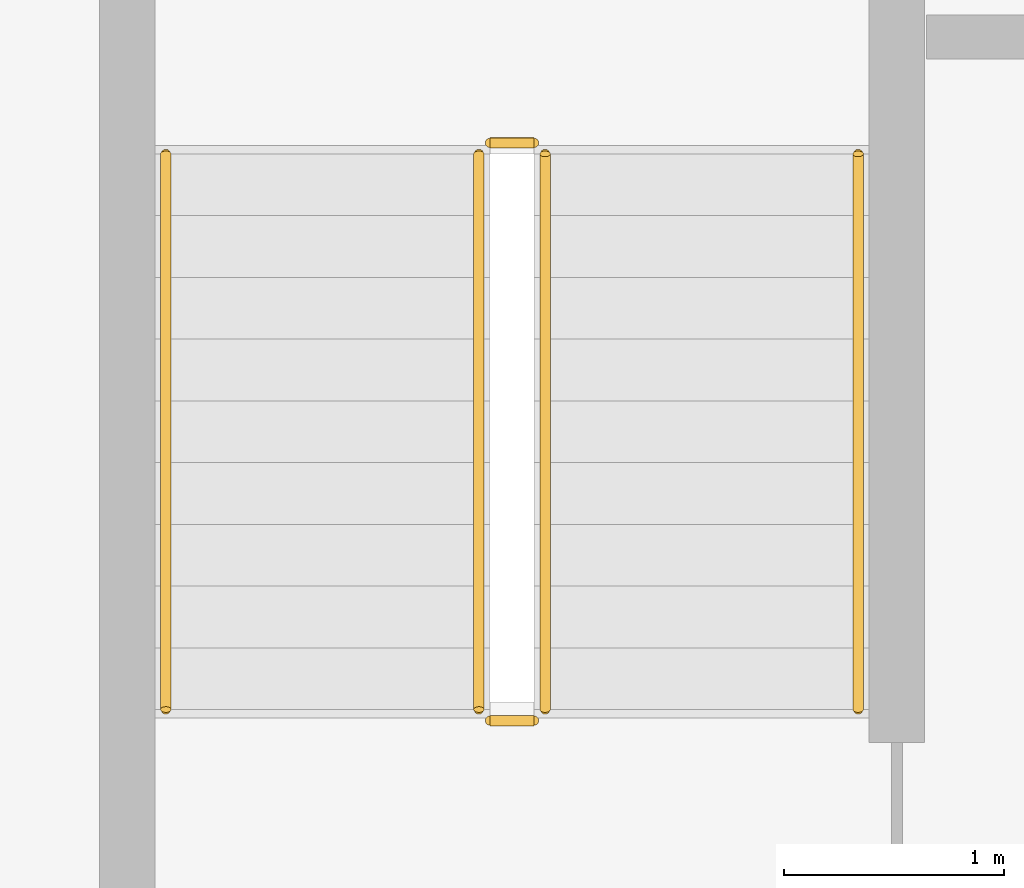
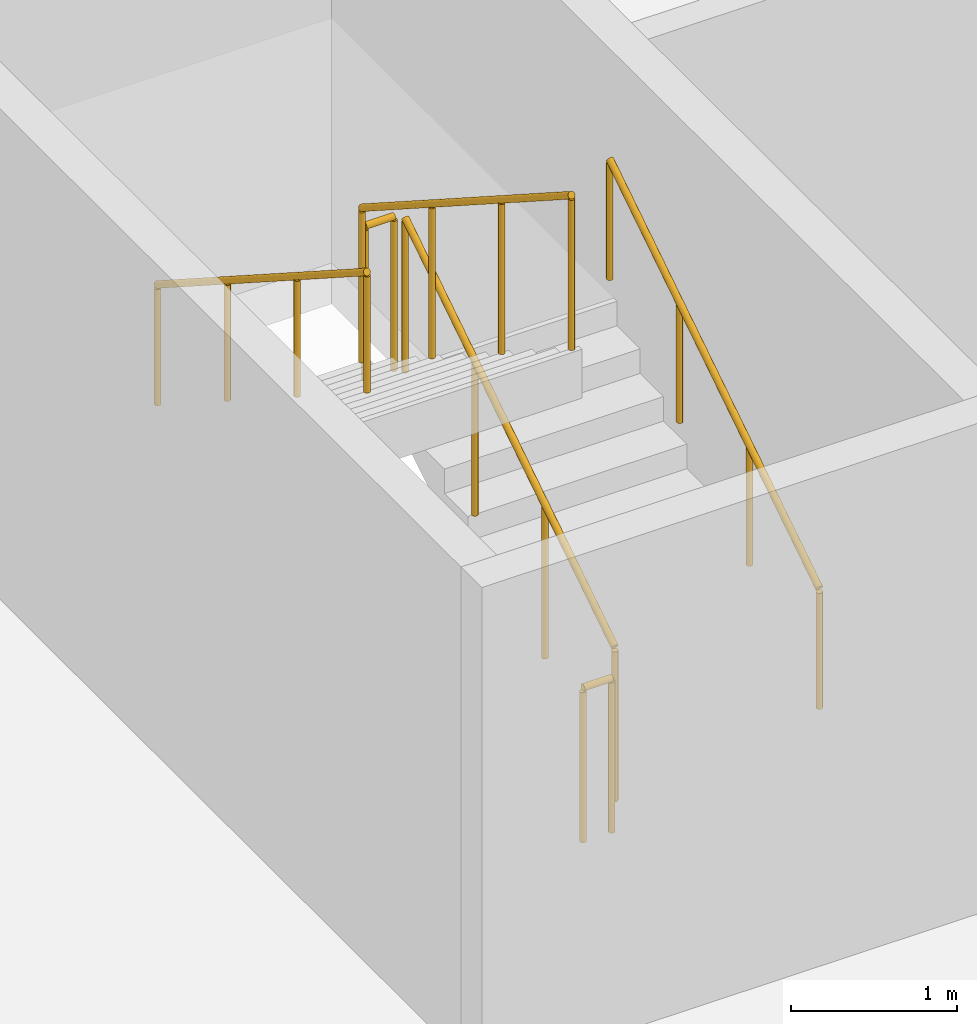
# One storey, part 15 of 23: 6 railings.
"""IFC4 building model written with IfcOpenShell, lengths in metres."""

from ifc_helpers import new_model, si_unit, direction, frame, origin, origin_2d, place, context, subcontext, project, spatial, circle, extrude, material, type_object, element, save


model = new_model("IFC4")

# Units and contexts
model_context = context("Model", 3, precision=1e-05, world=origin(), true_north=direction((0.0, 1.0)))
body_context = subcontext(model_context, "Body", "Model", "MODEL_VIEW")
ifc_project = project(units=[si_unit("LENGTHUNIT", "METRE"), si_unit("AREAUNIT", "SQUARE_METRE"), si_unit("VOLUMEUNIT", "CUBIC_METRE"), si_unit("PLANEANGLEUNIT", "RADIAN"), si_unit("MASSUNIT", "GRAM", prefix="KILO")], contexts=[model_context])

# Site, building, storey
site_placement = place(None, origin())
site = spatial("IfcSite", under=ifc_project, at=site_placement, CompositionType="ELEMENT")
building_placement = place(site_placement, origin())
building = spatial("IfcBuilding", under=site, at=building_placement, Name="Korimba Cascade Residences", CompositionType="ELEMENT")
storey_placement = place(building_placement, frame((0.0, 0.0, -3.60009765625)))
storey = spatial("IfcBuildingStorey", under=building, at=storey_placement, Name="B01", CompositionType="ELEMENT", Elevation=-3.60009765625)

# Railings
ifc_material_1 = material(Name="Painted Steel Stairwell Guardrail", Category="steel")
railing_type_1 = type_object("IfcRailingType", Name="RLG-ST-GD1150", PredefinedType="GUARDRAIL", material=ifc_material_1)
railing_1_placement = place(storey_placement, frame((59.77001953125, -11.14990234375, 0.18017578125)))
element("IfcRailing", 1, at=railing_1_placement, inside=storey, type_object=railing_type_1, Name="B01 ST-P3 stair guard 1", PredefinedType="GUARDRAIL", context=body_context, shape_type="SweptSolid", body=[
    extrude(circle(Radius=0.02392578125, at=origin_2d()), frame((0.0, 0.0, 1.1259765625), z_axis=(0.0, 0.841199657755, 0.540724639528), x_axis=(-1.0, 0.0, 0.0)), (0.0, 0.0, 1.0), 2.995849609375),
    extrude(circle(Radius=0.02099609375, at=origin_2d()), origin(), (0.0, 0.0, 1.0), 1.101806640625),
    extrude(circle(Radius=0.02099609375, at=origin_2d()), frame((0.0, 0.840087890625, 0.5400390625)), (0.0, 0.0, 1.0), 1.101806640625),
    extrude(circle(Radius=0.02099609375, at=origin_2d()), frame((0.0, 1.679931640625, 1.079833984375)), (0.0, 0.0, 1.0), 1.101806640625),
    extrude(circle(Radius=0.02099609375, at=origin_2d()), frame((0.0, 2.52001953125, 1.619873046875)), (0.0, 0.0, 1.0), 1.101806640625),
])
railing_2_placement = place(storey_placement, frame((59.719970703125, -8.580078125, 1.800048828125)))
element("IfcRailing", 2, at=railing_2_placement, inside=storey, type_object=railing_type_1, Name="B01 ST-P3 stair guard 2", PredefinedType="GUARDRAIL", context=body_context, shape_type="SweptSolid", body=[
    extrude(circle(Radius=0.02392578125, at=origin_2d()), frame((0.0, 0.0, 1.1259765625), z_axis=(-1.0, 0.0, 0.0), x_axis=(0.0, -1.0, 0.0)), (0.0, 0.0, 1.0), 0.199951171875),
    extrude(circle(Radius=0.02099609375, at=origin_2d()), origin(), (0.0, 0.0, 1.0), 1.101806640625),
    extrude(circle(Radius=0.02099609375, at=origin_2d()), frame((-0.199951171875, 0.0, 0.0)), (0.0, 0.0, 1.0), 1.101806640625),
])
railing_3_placement = place(storey_placement, frame((59.469970703125, -8.6298828125, 1.97998046875)))
element("IfcRailing", 3, at=railing_3_placement, inside=storey, type_object=railing_type_1, Name="B01 ST-P3 stair guard 3", PredefinedType="GUARDRAIL", context=body_context, shape_type="SweptSolid", body=[
    extrude(circle(Radius=0.02392578125, at=origin_2d()), frame((0.0, 0.0, 1.1259765625), z_axis=(0.0, -0.841162588446, 0.540782303519), x_axis=(1.0, 0.0, 0.0)), (0.0, 0.0, 1.0), 2.995849609375),
    extrude(circle(Radius=0.02099609375, at=origin_2d()), origin(), (0.0, 0.0, 1.0), 1.101806640625),
    extrude(circle(Radius=0.02099609375, at=origin_2d()), frame((0.0, -0.840087890625, 0.5400390625)), (0.0, 0.0, 1.0), 1.101806640625),
    extrude(circle(Radius=0.02099609375, at=origin_2d()), frame((0.0, -1.679931640625, 1.080078125)), (0.0, 0.0, 1.0), 1.101806640625),
    extrude(circle(Radius=0.02099609375, at=origin_2d()), frame((0.0, -2.52001953125, 1.6201171875)), (0.0, 0.0, 1.0), 1.101806640625),
])
railing_4_placement = place(storey_placement, frame((59.719970703125, -11.199951171875, 0.0)))
element("IfcRailing", 4, at=railing_4_placement, inside=storey, type_object=railing_type_1, Name="B01 ST-P3 stair guard 4", PredefinedType="GUARDRAIL", context=body_context, shape_type="SweptSolid", body=[
    extrude(circle(Radius=0.02392578125, at=origin_2d()), frame((0.0, 0.0, 1.1259765625), z_axis=(-1.0, 0.0, 0.0), x_axis=(0.0, -1.0, 0.0)), (0.0, 0.0, 1.0), 0.199951171875),
    extrude(circle(Radius=0.02099609375, at=origin_2d()), origin(), (0.0, 0.0, 1.0), 1.101806640625),
    extrude(circle(Radius=0.02099609375, at=origin_2d()), frame((-0.199951171875, 0.0, 0.0)), (0.0, 0.0, 1.0), 1.101806640625),
])
ifc_material_2 = material(Name="Brushed Stainless Steel Handrail", Category="steel")
railing_type_2 = type_object("IfcRailingType", Name="RLG-ST-HR900", PredefinedType="HANDRAIL", material=ifc_material_2)
railing_5_placement = place(storey_placement, frame((61.18994140625, -11.14990234375, 0.364013671875)))
element("IfcRailing", 5, at=railing_5_placement, inside=storey, type_object=railing_type_2, Name="B01 ST-P3 stair handrail 1", PredefinedType="HANDRAIL", context=body_context, shape_type="SweptSolid", body=[
    extrude(circle(Radius=0.02392578125, at=origin_2d()), frame((0.0, 0.0, 0.8759765625), z_axis=(0.0, 0.841199657755, 0.540724639528), x_axis=(-1.0, 0.0, 0.0)), (0.0, 0.0, 1.0), 2.995849609375),
    extrude(circle(Radius=0.02099609375, at=origin_2d()), origin(), (0.0, 0.0, 1.0), 0.851806640625),
    extrude(circle(Radius=0.02099609375, at=origin_2d()), frame((0.0, 0.840087890625, 0.5400390625)), (0.0, 0.0, 1.0), 0.851806640625),
    extrude(circle(Radius=0.02099609375, at=origin_2d()), frame((0.0, 1.679931640625, 1.079833984375)), (0.0, 0.0, 1.0), 0.851806640625),
    extrude(circle(Radius=0.02099609375, at=origin_2d()), frame((0.0, 2.52001953125, 1.619873046875)), (0.0, 0.0, 1.0), 0.851806640625),
])
railing_6_placement = place(storey_placement, frame((58.050048828125, -8.6298828125, 2.163818359375)))
element("IfcRailing", 6, at=railing_6_placement, inside=storey, type_object=railing_type_2, Name="B01 ST-P3 stair handrail 2", PredefinedType="HANDRAIL", context=body_context, shape_type="SweptSolid", body=[
    extrude(circle(Radius=0.02392578125, at=origin_2d()), frame((0.0, 0.0, 0.8759765625), z_axis=(0.0, -0.841162588446, 0.540782303519), x_axis=(1.0, 0.0, 0.0)), (0.0, 0.0, 1.0), 2.995849609375),
    extrude(circle(Radius=0.02099609375, at=origin_2d()), origin(), (0.0, 0.0, 1.0), 0.851806640625),
    extrude(circle(Radius=0.02099609375, at=origin_2d()), frame((0.0, -0.840087890625, 0.5400390625)), (0.0, 0.0, 1.0), 0.851806640625),
    extrude(circle(Radius=0.02099609375, at=origin_2d()), frame((0.0, -1.679931640625, 1.080078125)), (0.0, 0.0, 1.0), 0.851806640625),
    extrude(circle(Radius=0.02099609375, at=origin_2d()), frame((0.0, -2.52001953125, 1.6201171875)), (0.0, 0.0, 1.0), 0.851806640625),
])

save(model, "model.ifc")
